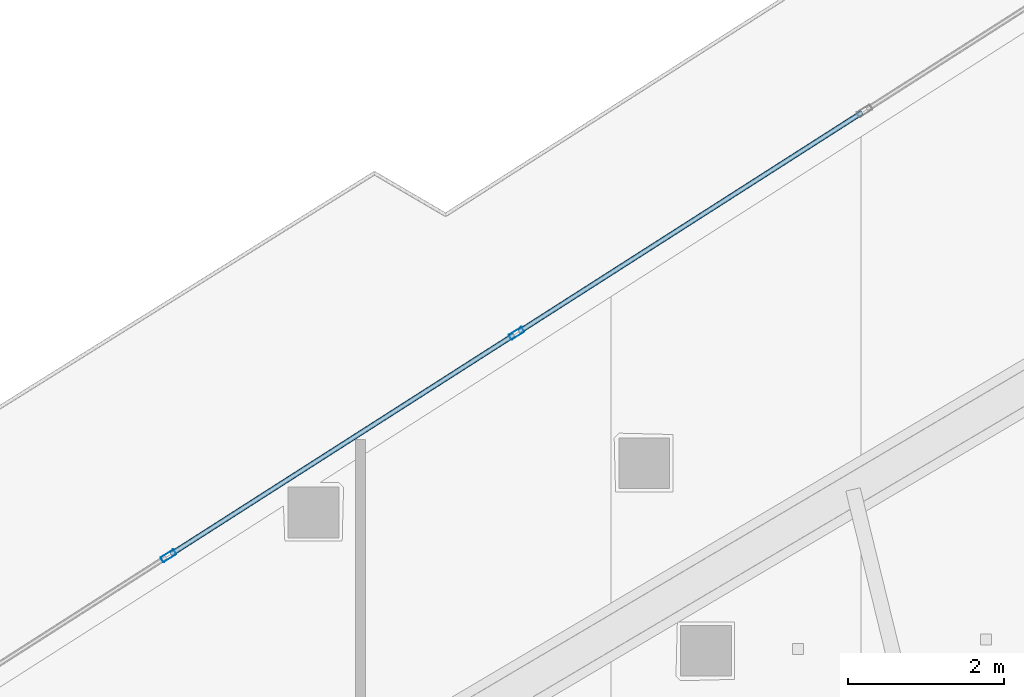
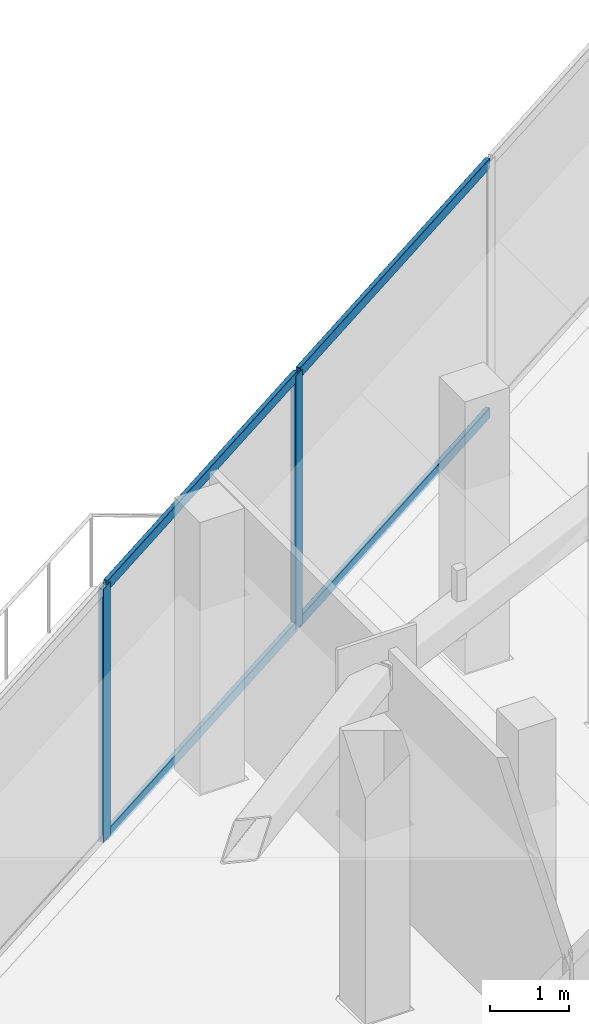
# One storey, part 16 of 47: 6 members, 1 element without a shape of its own.
"""IFC4 building model written with IfcOpenShell, lengths in metres."""

from ifc_helpers import new_model, si_unit, direction, frame, origin, origin_2d, place, context, subcontext, project, spatial, hollow_rectangle, extrude, material, layer, layer_set, material_profile, profile_set, type_object, element, aggregate, save


model = new_model("IFC4")

# Units and contexts
model_context = context("Model", 3, precision=1e-05, world=origin(), true_north=direction((0.0, 1.0)))
body_context = subcontext(model_context, "Body", "Model", "MODEL_VIEW")
ifc_project = project(units=[si_unit("LENGTHUNIT", "METRE"), si_unit("AREAUNIT", "SQUARE_METRE"), si_unit("VOLUMEUNIT", "CUBIC_METRE"), si_unit("PLANEANGLEUNIT", "RADIAN"), si_unit("MASSUNIT", "GRAM", prefix="KILO")], contexts=[model_context])

# Site, building, storey
site_placement = place(None, origin())
site = spatial("IfcSite", under=ifc_project, at=site_placement, CompositionType="ELEMENT")
building_placement = place(site_placement, origin())
building = spatial("IfcBuilding", under=site, at=building_placement, Name="Qorvath Tower", CompositionType="ELEMENT")
storey_placement = place(building_placement, frame((0.0, 0.0, 74.39990234375)))
storey = spatial("IfcBuildingStorey", under=building, at=storey_placement, Name="L16", CompositionType="ELEMENT", Elevation=74.39990234375)

# Curtain wall, members
ifc_material_1 = material(Name="Anodised aluminium and triple low-E glass", Category="aluminium")
ifc_layer = layer(ifc_material_1, 0.179931640625)
ifc_layer_set = layer_set([ifc_layer], Name="CW-SYS-5")
curtain_wall_type = type_object("IfcCurtainWallType", Name="CW-SYS-5", PredefinedType="NOTDEFINED", material=ifc_layer_set)
curtain_wall_placement = place(storey_placement, origin())
curtain_wall = element("IfcCurtainWall", 1, at=curtain_wall_placement, inside=storey, type_object=curtain_wall_type, Name="Curtain Wall CW-5 CW-T-L16-4.1", PredefinedType="NOTDEFINED")
ifc_material_2 = material(Name="Anodised aluminium 6063-T6", Category="aluminium")
ifc_material_profile_1 = material_profile(ifc_material_2, hollow_rectangle(XDim=0.074951171875, YDim=0.199951171875, WallThickness=0.00390625, InnerFilletRadius=0.00390625, OuterFilletRadius=0.008056640625, at=origin_2d()), Name="CWM 200x75")
ifc_profile_set_1 = profile_set([ifc_material_profile_1], Name="Anodised aluminium 6063-T6")
member_type_1 = type_object("IfcMemberType", Name="CWM-200", PredefinedType="MULLION", material=ifc_profile_set_1)
member_1_placement = place(storey_placement, frame((-32.65185546875, 21.123291015625, 0.0), z_axis=(0.0, 0.0, 1.0), x_axis=(0.538533373675, -0.842604180763, 0.0)))
member_1 = element("IfcMember", 2, at=member_1_placement, type_object=member_type_1, Name="CW-5 mullion 4", PredefinedType="MULLION", context=body_context, shape_type="SweptSolid", body=[
    extrude(hollow_rectangle(XDim=0.074951171875, YDim=0.199951171875, WallThickness=0.00390625, InnerFilletRadius=0.00390625, OuterFilletRadius=0.008056640625, at=origin_2d()), origin(), (0.0, 0.0, 1.0), 3.920166015625),
])
member_2_placement = place(storey_placement, frame((-37.109130859375, 18.2744140625, 0.0), z_axis=(0.0, 0.0, 1.0), x_axis=(0.538533373675, -0.842604180763, 0.0)))
member_2 = element("IfcMember", 3, at=member_2_placement, type_object=member_type_1, Name="CW-5 mullion 5", PredefinedType="MULLION", context=body_context, shape_type="SweptSolid", body=[
    extrude(hollow_rectangle(XDim=0.074951171875, YDim=0.199951171875, WallThickness=0.00390625, InnerFilletRadius=0.00390625, OuterFilletRadius=0.008056640625, at=origin_2d()), origin(), (0.0, 0.0, 1.0), 3.920166015625),
])
ifc_material_3 = material(Name="Anodised aluminium 6063-T6", Category="aluminium")
ifc_material_profile_2 = material_profile(ifc_material_3, hollow_rectangle(XDim=0.06494140625, YDim=0.159912109375, WallThickness=0.00341796875, InnerFilletRadius=0.00341796875, OuterFilletRadius=0.007080078125, at=origin_2d()), Name="CWT 160x65")
ifc_profile_set_2 = profile_set([ifc_material_profile_2], Name="Anodised aluminium 6063-T6")
member_type_2 = type_object("IfcMemberType", Name="CWT-160", PredefinedType="USERDEFINED", material=ifc_profile_set_2)
member_3_placement = place(storey_placement, frame((-28.226318359375, 23.951904296875, 0.032470703125), z_axis=(-0.842605385104, -0.538531489324, 0.0), x_axis=(0.538531489324, -0.842605385104, 0.0)))
member_3 = element("IfcMember", 4, at=member_3_placement, type_object=member_type_2, Name="CW-5 transom 3.1", ObjectType="TRANSOM", PredefinedType="USERDEFINED", context=body_context, shape_type="SweptSolid", body=[
    extrude(hollow_rectangle(XDim=0.06494140625, YDim=0.159912109375, WallThickness=0.00341796875, InnerFilletRadius=0.00341796875, OuterFilletRadius=0.007080078125, at=origin_2d()), origin(), (0.0, 0.0, 1.0), 5.21484375),
])
member_4_placement = place(storey_placement, frame((-28.226318359375, 23.951904296875, 3.8876953125), z_axis=(-0.842605385104, -0.538531489324, 0.0), x_axis=(0.538531489324, -0.842605385104, 0.0)))
member_4 = element("IfcMember", 5, at=member_4_placement, type_object=member_type_2, Name="CW-5 transom 3.2", ObjectType="TRANSOM", PredefinedType="USERDEFINED", context=body_context, shape_type="SweptSolid", body=[
    extrude(hollow_rectangle(XDim=0.06494140625, YDim=0.159912109375, WallThickness=0.00341796875, InnerFilletRadius=0.00341796875, OuterFilletRadius=0.007080078125, at=origin_2d()), origin(), (0.0, 0.0, 1.0), 5.21484375),
])
member_5_placement = place(storey_placement, frame((-32.68359375, 21.10302734375, 0.032470703125), z_axis=(-0.842605385104, -0.538531489324, 0.0), x_axis=(0.538531489324, -0.842605385104, 0.0)))
member_5 = element("IfcMember", 6, at=member_5_placement, type_object=member_type_2, Name="CW-5 transom 4.1", ObjectType="TRANSOM", PredefinedType="USERDEFINED", context=body_context, shape_type="SweptSolid", body=[
    extrude(hollow_rectangle(XDim=0.06494140625, YDim=0.159912109375, WallThickness=0.00341796875, InnerFilletRadius=0.00341796875, OuterFilletRadius=0.007080078125, at=origin_2d()), origin(), (0.0, 0.0, 1.0), 5.21484375),
])
member_6_placement = place(storey_placement, frame((-32.68359375, 21.10302734375, 3.8876953125), z_axis=(-0.842605385104, -0.538531489324, 0.0), x_axis=(0.538531489324, -0.842605385104, 0.0)))
member_6 = element("IfcMember", 7, at=member_6_placement, type_object=member_type_2, Name="CW-5 transom 4.2", ObjectType="TRANSOM", PredefinedType="USERDEFINED", context=body_context, shape_type="SweptSolid", body=[
    extrude(hollow_rectangle(XDim=0.06494140625, YDim=0.159912109375, WallThickness=0.00341796875, InnerFilletRadius=0.00341796875, OuterFilletRadius=0.007080078125, at=origin_2d()), origin(), (0.0, 0.0, 1.0), 5.21484375),
])
aggregate(curtain_wall, [member_1, member_2, member_3, member_4, member_5, member_6])

save(model, "model.ifc")
